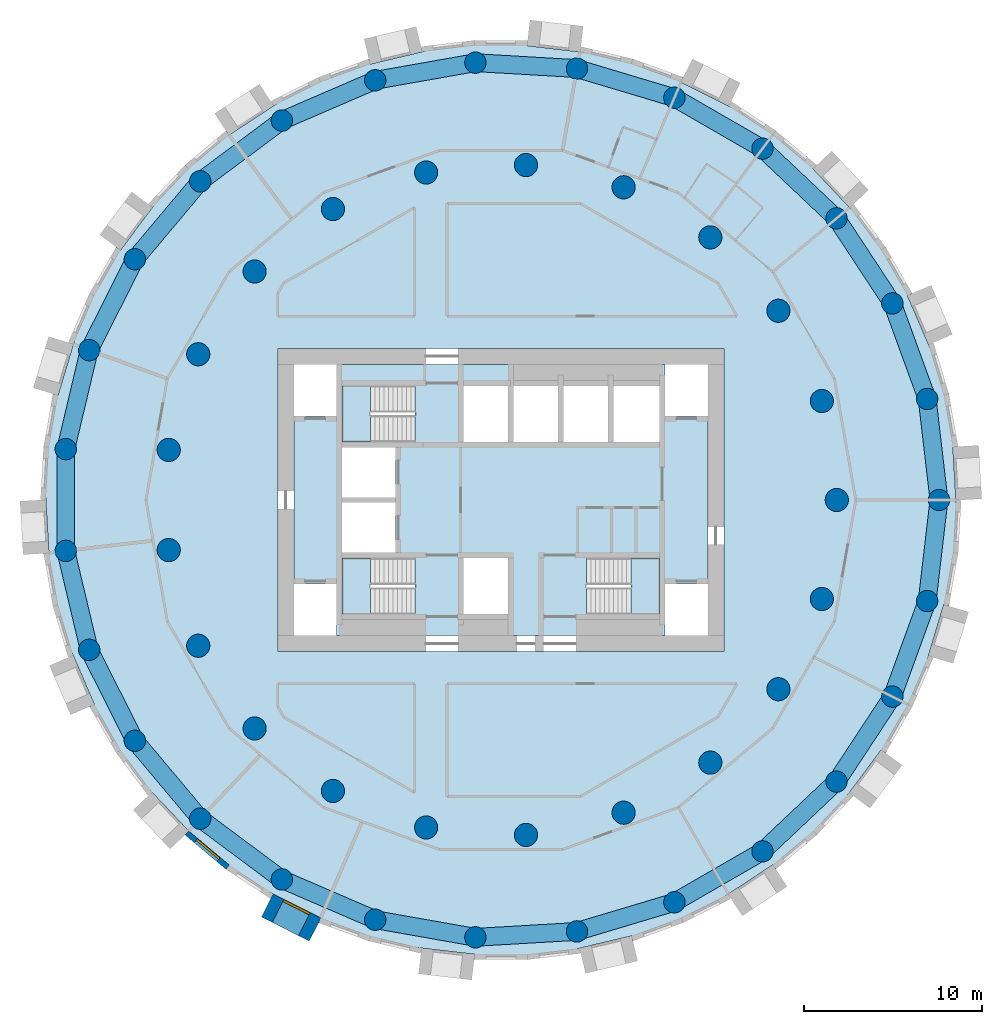
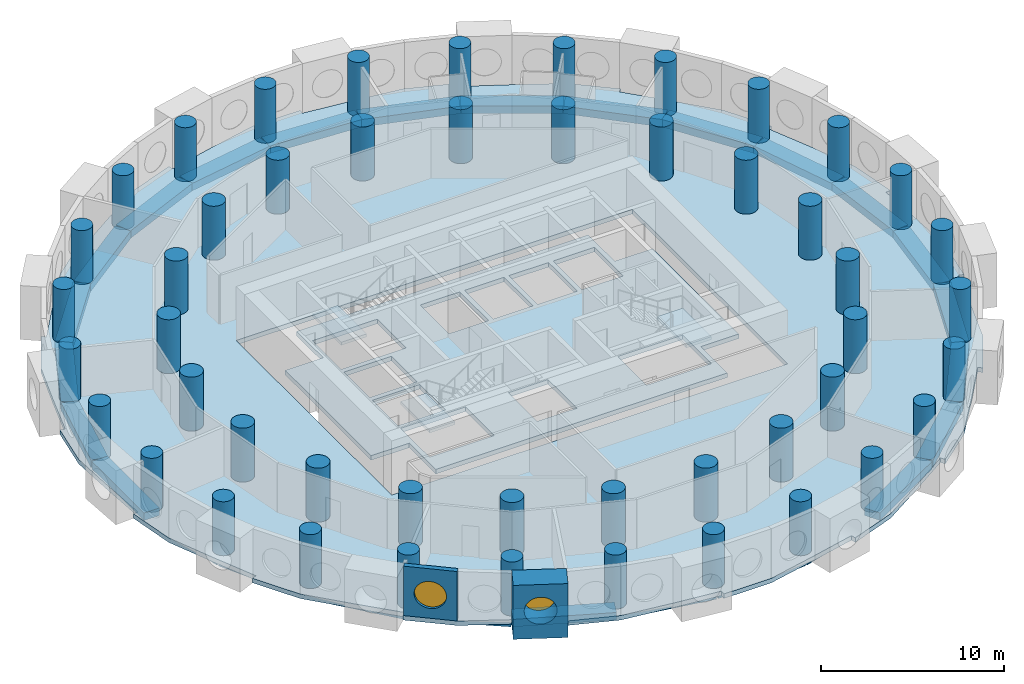
# One storey, part 1 of 9: 48 columns, 27 beams, 5 slabs, 2 walls, 2 windows, 2 openings, 3 elements without a shape of their own.
"""IFC4 building model written with IfcOpenShell, lengths in metres."""

from ifc_helpers import new_model, si_unit, direction, frame, frame_2d, origin, origin_2d, place, context, subcontext, project, spatial, polyline, rectangle, circle, outline, extrude, material, layer, layer_set, material_profile, profile_set, type_object, element, fill, aggregate, save


model = new_model("IFC4")

# Units and contexts
model_context = context("Model", 3, precision=1e-05, world=origin(), true_north=direction((0.0, 1.0)))
body_context = subcontext(model_context, "Body", "Model", "MODEL_VIEW")
ifc_project = project(units=[si_unit("LENGTHUNIT", "METRE"), si_unit("AREAUNIT", "SQUARE_METRE"), si_unit("VOLUMEUNIT", "CUBIC_METRE"), si_unit("PLANEANGLEUNIT", "RADIAN"), si_unit("MASSUNIT", "GRAM", prefix="KILO")], contexts=[model_context])

# Site, building, storey
site_placement = place(None, origin())
site = spatial("IfcSite", under=ifc_project, at=site_placement, CompositionType="ELEMENT")
building_placement = place(site_placement, origin())
building = spatial("IfcBuilding", under=site, at=building_placement, Name="Tracery Tower", CompositionType="ELEMENT")
storey_placement = place(building_placement, frame((0.0, 0.0, 151.199951171875)))
storey = spatial("IfcBuildingStorey", under=building, at=storey_placement, Name="L38", CompositionType="ELEMENT", Elevation=151.199951171875)

# Columns
ifc_material_1 = material(Name="Concrete C50/60", Category="concrete")
ifc_material_profile_1 = material_profile(ifc_material_1, circle(Radius=0.60009765625, at=origin_2d()), Name="RC D1200")
ifc_profile_set_1 = profile_set([ifc_material_profile_1], Name="Concrete C50/60")
column_type_1 = type_object("IfcColumnType", Name="Ring 1 column 1200", PredefinedType="COLUMN", material=ifc_profile_set_1)
for number, where, z_axis, x_axis, name in (
    (1, (24.547607421875, 0.0, 0.0), (0.0, 0.0, 1.0), (1.0, 0.0, 0.0), "Ring 1 column 00 at L38"),
    (2, (23.885986328125, 5.6611328125, 0.0), (0.0, 0.0, 1.0), (1.0, 0.0, 0.0), "Ring 1 column 01 at L38"),
    (3, (21.9365234375, 11.01708984375, 0.0), (0.0, 0.0, 1.0), (1.0, 0.0, 0.0), "Ring 1 column 02 at L38"),
    (4, (18.8046875, 15.779052734375, 0.0), (0.0, 0.0, 1.0), (1.0, 0.0, 0.0), "Ring 1 column 03 at L38"),
    (5, (14.658935546875, 19.690185546875, 0.0), (0.0, 0.0, 1.0), (1.0, 0.0, 0.0), "Ring 1 column 04 at L38"),
    (6, (9.722900390625, 22.5400390625, 0.0), (0.0, 0.0, 1.0), (1.0, 0.0, 0.0), "Ring 1 column 05 at L38"),
    (7, (4.2626953125, 24.1748046875, 0.0), (0.0, 0.0, 1.0), (1.0, 0.0, 0.0), "Ring 1 column 06 at L38"),
    (8, (-1.42724609375, 24.506103515625, 0.0), (0.0, 0.0, 1.0), (1.0, 0.0, 0.0), "Ring 1 column 07 at L38"),
    (9, (-7.040283203125, 23.516357421875, 0.0), (0.0, 0.0, 1.0), (1.0, 0.0, 0.0), "Ring 1 column 08 at L38"),
    (10, (-12.273681640625, 21.2587890625, 0.0), (0.0, 0.0, 1.0), (1.0, 0.0, 0.0), "Ring 1 column 09 at L38"),
    (11, (-16.845703125, 17.855224609375, 0.0), (0.0, 0.0, 1.0), (1.0, 0.0, 0.0), "Ring 1 column 10 at L38"),
    (12, (-20.50927734375, 13.4892578125, 0.0), (0.0, 0.0, 1.0), (1.0, 0.0, 0.0), "Ring 1 column 11 at L38"),
    (13, (-23.0673828125, 8.395751953125, 0.0), (0.0, 0.0, 1.0), (1.0, 0.0, 0.0), "Ring 1 column 12 at L38"),
    (14, (-24.381591796875, 2.849853515625, 0.0), (0.0, 0.0, 1.0), (1.0, 0.0, 0.0), "Ring 1 column 13 at L38"),
    (15, (-24.381591796875, -2.849853515625, 0.0), (0.0, 0.0, 1.0), (1.0, 0.0, 0.0), "Ring 1 column 14 at L38"),
    (16, (-23.0673828125, -8.395751953125, 0.0), (0.0, 0.0, 1.0), (1.0, 0.0, 0.0), "Ring 1 column 15 at L38"),
    (17, (-20.50927734375, -13.4892578125, 0.0), (0.0, 0.0, 1.0), (1.0, 0.0, 0.0), "Ring 1 column 16 at L38"),
    (18, (-16.845703125, -17.85546875, 0.0), (0.0, 0.0, 1.0), (1.0, 0.0, 0.0), "Ring 1 column 17 at L38"),
    (19, (-12.27392578125, -21.2587890625, 0.0), (0.0, 0.0, 1.0), (1.0, 0.0, 0.0), "Ring 1 column 18 at L38"),
    (20, (-7.040283203125, -23.516357421875, 0.0), (0.0, 0.0, 1.0), (1.0, 0.0, 0.0), "Ring 1 column 19 at L38"),
    (21, (-1.42724609375, -24.506103515625, 0.0), (0.0, 0.0, 1.0), (1.0, 0.0, 0.0), "Ring 1 column 20 at L38"),
    (22, (4.2626953125, -24.1748046875, 0.0), (0.0, 0.0, 1.0), (1.0, 0.0, 0.0), "Ring 1 column 21 at L38"),
    (23, (9.722900390625, -22.5400390625, 0.0), (0.0, 0.0, 1.0), (1.0, 0.0, 0.0), "Ring 1 column 22 at L38"),
    (24, (14.658935546875, -19.690185546875, 0.0), (0.0, 0.0, 1.0), (1.0, 0.0, 0.0), "Ring 1 column 23 at L38"),
    (25, (18.8046875, -15.779052734375, 0.0), (0.0, 0.0, 1.0), (1.0, 0.0, 0.0), "Ring 1 column 24 at L38"),
    (26, (21.9365234375, -11.01708984375, 0.0), (0.0, 0.0, 1.0), (1.0, 0.0, 0.0), "Ring 1 column 25 at L38"),
    (27, (23.885986328125, -5.6611328125, 0.0), (0.0, 0.0, 1.0), (1.0, 0.0, 0.0), "Ring 1 column 26 at L38"),
):
    element("IfcColumn", number, at=place(storey_placement, frame(where, z_axis=z_axis, x_axis=x_axis)), inside=storey, type_object=column_type_1, Name=name, PredefinedType="COLUMN", context=body_context, shape_type="SweptSolid", body=[
        extrude(circle(Radius=0.60009765625, at=origin_2d()), origin(), (0.0, 0.0, 1.0), 3.60009765625),
    ])
ifc_material_2 = material(Name="Concrete C50/60", Category="concrete")
ifc_material_profile_2 = material_profile(ifc_material_2, circle(Radius=0.64990234375, at=origin_2d()), Name="RC D1300")
ifc_profile_set_2 = profile_set([ifc_material_profile_2], Name="Concrete C50/60")
column_type_2 = type_object("IfcColumnType", Name="Ring 2 column 1300", PredefinedType="COLUMN", material=ifc_profile_set_2)
for number, where, z_axis, x_axis, name in (
    (28, (18.822265625, 0.0, 0.0), (0.0, 0.0, 1.0), (1.0, 0.0, 0.0), "Ring 2 column 00 at L38"),
    (29, (17.986083984375, 5.5478515625, 0.0), (0.0, 0.0, 1.0), (1.0, 0.0, 0.0), "Ring 2 column 01 at L38"),
    (30, (15.551513671875, 10.602783203125, 0.0), (0.0, 0.0, 1.0), (1.0, 0.0, 0.0), "Ring 2 column 02 at L38"),
    (31, (11.7353515625, 14.7158203125, 0.0), (0.0, 0.0, 1.0), (1.0, 0.0, 0.0), "Ring 2 column 03 at L38"),
    (32, (6.87646484375, 17.52099609375, 0.0), (0.0, 0.0, 1.0), (1.0, 0.0, 0.0), "Ring 2 column 04 at L38"),
    (33, (1.406494140625, 18.76953125, 0.0), (0.0, 0.0, 1.0), (1.0, 0.0, 0.0), "Ring 2 column 05 at L38"),
    (34, (-4.188232421875, 18.350341796875, 0.0), (0.0, 0.0, 1.0), (1.0, 0.0, 0.0), "Ring 2 column 06 at L38"),
    (35, (-9.4111328125, 16.300537109375, 0.0), (0.0, 0.0, 1.0), (1.0, 0.0, 0.0), "Ring 2 column 07 at L38"),
    (36, (-13.797607421875, 12.802490234375, 0.0), (0.0, 0.0, 1.0), (1.0, 0.0, 0.0), "Ring 2 column 08 at L38"),
    (37, (-16.958251953125, 8.16650390625, 0.0), (0.0, 0.0, 1.0), (1.0, 0.0, 0.0), "Ring 2 column 09 at L38"),
    (38, (-18.612060546875, 2.805419921875, 0.0), (0.0, 0.0, 1.0), (1.0, 0.0, 0.0), "Ring 2 column 10 at L38"),
    (39, (-18.612060546875, -2.805419921875, 0.0), (0.0, 0.0, 1.0), (1.0, 0.0, 0.0), "Ring 2 column 11 at L38"),
    (40, (-16.958251953125, -8.166748046875, 0.0), (0.0, 0.0, 1.0), (1.0, 0.0, 0.0), "Ring 2 column 12 at L38"),
    (41, (-13.797607421875, -12.80224609375, 0.0), (0.0, 0.0, 1.0), (1.0, 0.0, 0.0), "Ring 2 column 13 at L38"),
    (42, (-9.4111328125, -16.300537109375, 0.0), (0.0, 0.0, 1.0), (1.0, 0.0, 0.0), "Ring 2 column 14 at L38"),
    (43, (-4.188232421875, -18.350341796875, 0.0), (0.0, 0.0, 1.0), (1.0, 0.0, 0.0), "Ring 2 column 15 at L38"),
    (44, (1.406494140625, -18.76953125, 0.0), (0.0, 0.0, 1.0), (1.0, 0.0, 0.0), "Ring 2 column 16 at L38"),
    (45, (6.87646484375, -17.52099609375, 0.0), (0.0, 0.0, 1.0), (1.0, 0.0, 0.0), "Ring 2 column 17 at L38"),
    (46, (11.7353515625, -14.7158203125, 0.0), (0.0, 0.0, 1.0), (1.0, 0.0, 0.0), "Ring 2 column 18 at L38"),
    (47, (15.551513671875, -10.602783203125, 0.0), (0.0, 0.0, 1.0), (1.0, 0.0, 0.0), "Ring 2 column 19 at L38"),
    (48, (17.986083984375, -5.5478515625, 0.0), (0.0, 0.0, 1.0), (1.0, 0.0, 0.0), "Ring 2 column 20 at L38"),
):
    element("IfcColumn", number, at=place(storey_placement, frame(where, z_axis=z_axis, x_axis=x_axis)), inside=storey, type_object=column_type_2, Name=name, PredefinedType="COLUMN", context=body_context, shape_type="SweptSolid", body=[
        extrude(circle(Radius=0.64990234375, at=origin_2d()), origin(), (0.0, 0.0, 1.0), 3.60009765625),
    ])

# Beams
ifc_material_3 = material(Name="Concrete C50/60", Category="concrete")
ifc_material_profile_3 = material_profile(ifc_material_3, rectangle(XDim=1.0, YDim=0.5, at=origin_2d()), Name="RC 1000x500")
ifc_profile_set_3 = profile_set([ifc_material_profile_3], Name="Concrete C50/60")
beam_type = type_object("IfcBeamType", Name="Perimeter band beam 1000x500", PredefinedType="BEAM", material=ifc_profile_set_3)
for number, where, z_axis, x_axis, name in (
    (49, (24.547607421875, 0.0, -0.550048828125), (-0.116080723252, 0.993239782575, 0.0), (-0.993239782575, -0.116080723252, 0.0), "Perimeter beam 1.00 under L38"),
    (50, (23.885986328125, 5.6611328125, -0.550048828125), (-0.342028502279, 0.939689578334, 0.0), (-0.939689578334, -0.342028502279, 0.0), "Perimeter beam 1.01 under L38"),
):
    element("IfcBeam", number, at=place(storey_placement, frame(where, z_axis=z_axis, x_axis=x_axis)), inside=storey, type_object=beam_type, Name=name, PredefinedType="BEAM", context=body_context, shape_type="SweptSolid", body=[
        extrude(rectangle(XDim=1.0, YDim=0.5, at=origin_2d()), origin(), (0.0, 0.0, 1.0), 5.69970703125),
    ])
for number, where, z_axis, x_axis, name in (
    (51, (21.9365234375, 11.01708984375, -0.550048828125), (-0.549489832182, 0.835500403548, 0.0), (-0.835500403548, -0.549489832182, 0.0), "Perimeter beam 1.02 under L38"),
    (52, (18.8046875, 15.779052734375, -0.550048828125), (-0.727389618263, 0.686224703172, 0.0), (-0.686224703172, -0.727389618263, 0.0), "Perimeter beam 1.03 under L38"),
):
    element("IfcBeam", number, at=place(storey_placement, frame(where, z_axis=z_axis, x_axis=x_axis)), inside=storey, type_object=beam_type, Name=name, PredefinedType="BEAM", context=body_context, shape_type="SweptSolid", body=[
        extrude(rectangle(XDim=1.0, YDim=0.5, at=origin_2d()), origin(), (0.0, 0.0, 1.0), 5.699462890625),
    ])
for number, where, z_axis, x_axis, name in (
    (53, (14.658935546875, 19.690185546875, -0.550048828125), (-0.866022950691, 0.500004248858, 0.0), (-0.500004248858, -0.866022950691, 0.0), "Perimeter beam 1.04 under L38"),
    (54, (9.722900390625, 22.5400390625, -0.550048828125), (-0.957985292634, 0.28681732705, 0.0), (-0.28681732705, -0.957985292634, 0.0), "Perimeter beam 1.05 under L38"),
):
    element("IfcBeam", number, at=place(storey_placement, frame(where, z_axis=z_axis, x_axis=x_axis)), inside=storey, type_object=beam_type, Name=name, PredefinedType="BEAM", context=body_context, shape_type="SweptSolid", body=[
        extrude(rectangle(XDim=1.0, YDim=0.5, at=origin_2d()), origin(), (0.0, 0.0, 1.0), 5.69970703125),
    ])
beam_1_placement = place(storey_placement, frame((4.2626953125, 24.1748046875, -0.550048828125), z_axis=(-0.99830920221, 0.058126902403, 0.0), x_axis=(-0.058126902403, -0.99830920221, 0.0)))
element("IfcBeam", 55, at=beam_1_placement, inside=storey, type_object=beam_type, Name="Perimeter beam 1.06 under L38", PredefinedType="BEAM", context=body_context, shape_type="SweptSolid", body=[
    extrude(rectangle(XDim=1.0, YDim=0.5, at=origin_2d()), origin(), (0.0, 0.0, 1.0), 5.699462890625),
])
beam_2_placement = place(storey_placement, frame((-1.42724609375, 24.506103515625, -0.550048828125), z_axis=(-0.984807266719, -0.173650935552, 0.0), x_axis=(0.173650935552, -0.984807266719, 0.0)))
element("IfcBeam", 56, at=beam_2_placement, inside=storey, type_object=beam_type, Name="Perimeter beam 1.07 under L38", PredefinedType="BEAM", context=body_context, shape_type="SweptSolid", body=[
    extrude(rectangle(XDim=1.0, YDim=0.5, at=origin_2d()), origin(), (0.0, 0.0, 1.0), 5.69970703125),
])
beam_3_placement = place(storey_placement, frame((-7.040283203125, 23.516357421875, -0.550048828125), z_axis=(-0.918209685525, -0.396094652083, 0.0), x_axis=(0.396094652083, -0.918209685525, 0.0)))
element("IfcBeam", 57, at=beam_3_placement, inside=storey, type_object=beam_type, Name="Perimeter beam 1.08 under L38", PredefinedType="BEAM", context=body_context, shape_type="SweptSolid", body=[
    extrude(rectangle(XDim=1.0, YDim=0.5, at=origin_2d()), origin(), (0.0, 0.0, 1.0), 5.699462890625),
])
beam_4_placement = place(storey_placement, frame((-12.273681640625, 21.2587890625, -0.550048828125), z_axis=(-0.802138271299, -0.59713833717, 0.0), x_axis=(0.59713833717, -0.802138271299, 0.0)))
element("IfcBeam", 58, at=beam_4_placement, inside=storey, type_object=beam_type, Name="Perimeter beam 1.09 under L38", PredefinedType="BEAM", context=body_context, shape_type="SweptSolid", body=[
    extrude(rectangle(XDim=1.0, YDim=0.5, at=origin_2d()), origin(), (0.0, 0.0, 1.0), 5.69970703125),
])
beam_5_placement = place(storey_placement, frame((-16.845703125, 17.855224609375, -0.550048828125), z_axis=(-0.642797194343, -0.766036400535, 0.0), x_axis=(0.766036400535, -0.642797194343, 0.0)))
element("IfcBeam", 59, at=beam_5_placement, inside=storey, type_object=beam_type, Name="Perimeter beam 1.10 under L38", PredefinedType="BEAM", context=body_context, shape_type="SweptSolid", body=[
    extrude(rectangle(XDim=1.0, YDim=0.5, at=origin_2d()), origin(), (0.0, 0.0, 1.0), 5.699462890625),
])
beam_6_placement = place(storey_placement, frame((-20.50927734375, 13.4892578125, -0.550048828125), z_axis=(-0.448806280933, -0.893629074166, 0.0), x_axis=(0.893629074166, -0.448806280933, 0.0)))
element("IfcBeam", 60, at=beam_6_placement, inside=storey, type_object=beam_type, Name="Perimeter beam 1.11 under L38", PredefinedType="BEAM", context=body_context, shape_type="SweptSolid", body=[
    extrude(rectangle(XDim=1.0, YDim=0.5, at=origin_2d()), origin(), (0.0, 0.0, 1.0), 5.69970703125),
])
beam_7_placement = place(storey_placement, frame((-23.0673828125, 8.395751953125, -0.550048828125), z_axis=(-0.230583793756, -0.973052472407, 0.0), x_axis=(0.973052472407, -0.230583793756, 0.0)))
element("IfcBeam", 61, at=beam_7_placement, inside=storey, type_object=beam_type, Name="Perimeter beam 1.12 under L38", PredefinedType="BEAM", context=body_context, shape_type="SweptSolid", body=[
    extrude(rectangle(XDim=1.0, YDim=0.5, at=origin_2d()), origin(), (0.0, 0.0, 1.0), 5.699462890625),
])
beam_8_placement = place(storey_placement, frame((-24.381591796875, 2.849853515625, -0.550048828125), z_axis=(0.0, -1.0, 0.0), x_axis=(1.0, 0.0, 0.0)))
element("IfcBeam", 62, at=beam_8_placement, inside=storey, type_object=beam_type, Name="Perimeter beam 1.13 under L38", PredefinedType="BEAM", context=body_context, shape_type="SweptSolid", body=[
    extrude(rectangle(XDim=1.0, YDim=0.5, at=origin_2d()), origin(), (0.0, 0.0, 1.0), 5.69970703125),
])
beam_9_placement = place(storey_placement, frame((-24.381591796875, -2.849853515625, -0.550048828125), z_axis=(0.230583793756, -0.973052472407, 0.0), x_axis=(0.973052472407, 0.230583793756, 0.0)))
element("IfcBeam", 63, at=beam_9_placement, inside=storey, type_object=beam_type, Name="Perimeter beam 1.14 under L38", PredefinedType="BEAM", context=body_context, shape_type="SweptSolid", body=[
    extrude(rectangle(XDim=1.0, YDim=0.5, at=origin_2d()), origin(), (0.0, 0.0, 1.0), 5.699462890625),
])
for number, where, z_axis, x_axis, name in (
    (64, (-23.0673828125, -8.395751953125, -0.550048828125), (0.448806280933, -0.893629074166, 0.0), (0.893629074166, 0.448806280933, 0.0), "Perimeter beam 1.15 under L38"),
    (65, (-20.50927734375, -13.4892578125, -0.550048828125), (0.64277610208, -0.766054099, 0.0), (0.766054099, 0.64277610208, 0.0), "Perimeter beam 1.16 under L38"),
):
    element("IfcBeam", number, at=place(storey_placement, frame(where, z_axis=z_axis, x_axis=x_axis)), inside=storey, type_object=beam_type, Name=name, PredefinedType="BEAM", context=body_context, shape_type="SweptSolid", body=[
        extrude(rectangle(XDim=1.0, YDim=0.5, at=origin_2d()), origin(), (0.0, 0.0, 1.0), 5.69970703125),
    ])
beam_10_placement = place(storey_placement, frame((-16.845703125, -17.85546875, -0.550048828125), z_axis=(0.802143514942, -0.597131293298, 0.0), x_axis=(0.597131293298, 0.802143514942, 0.0)))
element("IfcBeam", 66, at=beam_10_placement, inside=storey, type_object=beam_type, Name="Perimeter beam 1.17 under L38", PredefinedType="BEAM", context=body_context, shape_type="SweptSolid", body=[
    extrude(rectangle(XDim=1.0, YDim=0.5, at=origin_2d()), origin(), (0.0, 0.0, 1.0), 5.699462890625),
])
for number, where, z_axis, x_axis, name in (
    (67, (-12.27392578125, -21.2587890625, -0.550048828125), (0.918216405543, -0.39607907366, 0.0), (0.39607907366, 0.918216405543, 0.0), "Perimeter beam 1.18 under L38"),
    (68, (-7.040283203125, -23.516357421875, -0.550048828125), (0.984807266719, -0.173650935552, 0.0), (0.173650935552, 0.984807266719, 0.0), "Perimeter beam 1.19 under L38"),
):
    element("IfcBeam", number, at=place(storey_placement, frame(where, z_axis=z_axis, x_axis=x_axis)), inside=storey, type_object=beam_type, Name=name, PredefinedType="BEAM", context=body_context, shape_type="SweptSolid", body=[
        extrude(rectangle(XDim=1.0, YDim=0.5, at=origin_2d()), origin(), (0.0, 0.0, 1.0), 5.69970703125),
    ])
beam_11_placement = place(storey_placement, frame((-1.42724609375, -24.506103515625, -0.550048828125), z_axis=(0.99830920221, 0.058126902403, 0.0), x_axis=(-0.058126902403, 0.99830920221, 0.0)))
element("IfcBeam", 69, at=beam_11_placement, inside=storey, type_object=beam_type, Name="Perimeter beam 1.20 under L38", PredefinedType="BEAM", context=body_context, shape_type="SweptSolid", body=[
    extrude(rectangle(XDim=1.0, YDim=0.5, at=origin_2d()), origin(), (0.0, 0.0, 1.0), 5.699462890625),
])
for number, where, z_axis, x_axis, name in (
    (70, (4.2626953125, -24.1748046875, -0.550048828125), (0.957985292634, 0.28681732705, 0.0), (-0.28681732705, 0.957985292634, 0.0), "Perimeter beam 1.21 under L38"),
    (71, (9.722900390625, -22.5400390625, -0.550048828125), (0.866022950691, 0.500004248858, 0.0), (-0.500004248858, 0.866022950691, 0.0), "Perimeter beam 1.22 under L38"),
):
    element("IfcBeam", number, at=place(storey_placement, frame(where, z_axis=z_axis, x_axis=x_axis)), inside=storey, type_object=beam_type, Name=name, PredefinedType="BEAM", context=body_context, shape_type="SweptSolid", body=[
        extrude(rectangle(XDim=1.0, YDim=0.5, at=origin_2d()), origin(), (0.0, 0.0, 1.0), 5.69970703125),
    ])
for number, where, z_axis, x_axis, name in (
    (72, (14.658935546875, -19.690185546875, -0.550048828125), (0.727389618263, 0.686224703172, 0.0), (-0.686224703172, 0.727389618263, 0.0), "Perimeter beam 1.23 under L38"),
    (73, (18.8046875, -15.779052734375, -0.550048828125), (0.549489832182, 0.835500403548, 0.0), (-0.835500403548, 0.549489832182, 0.0), "Perimeter beam 1.24 under L38"),
):
    element("IfcBeam", number, at=place(storey_placement, frame(where, z_axis=z_axis, x_axis=x_axis)), inside=storey, type_object=beam_type, Name=name, PredefinedType="BEAM", context=body_context, shape_type="SweptSolid", body=[
        extrude(rectangle(XDim=1.0, YDim=0.5, at=origin_2d()), origin(), (0.0, 0.0, 1.0), 5.699462890625),
    ])
for number, where, z_axis, x_axis, name in (
    (74, (21.9365234375, -11.01708984375, -0.550048828125), (0.342028502279, 0.939689578334, 0.0), (-0.939689578334, 0.342028502279, 0.0), "Perimeter beam 1.25 under L38"),
    (75, (23.885986328125, -5.6611328125, -0.550048828125), (0.116080723252, 0.993239782575, 0.0), (-0.993239782575, 0.116080723252, 0.0), "Perimeter beam 1.26 under L38"),
):
    element("IfcBeam", number, at=place(storey_placement, frame(where, z_axis=z_axis, x_axis=x_axis)), inside=storey, type_object=beam_type, Name=name, PredefinedType="BEAM", context=body_context, shape_type="SweptSolid", body=[
        extrude(rectangle(XDim=1.0, YDim=0.5, at=origin_2d()), origin(), (0.0, 0.0, 1.0), 5.69970703125),
    ])

# Slabs
ifc_material_4 = material(Name="Concrete C50/60", Category="concrete")
ifc_layer_1 = layer(ifc_material_4, 0.300048828125)
ifc_layer_set_1 = layer_set([ifc_layer_1], Name="Core floor slab 300 C50")
slab_type_1 = type_object("IfcSlabType", Name="Core floor slab 300 C50", PredefinedType="FLOOR", material=ifc_layer_set_1)
slab_1_placement = place(storey_placement, frame((0.0, 0.0, -0.300048828125)))
element("IfcSlab", 76, at=slab_1_placement, inside=storey, type_object=slab_type_1, Name="L38 core floor 1", PredefinedType="FLOOR", context=body_context, shape_type="SweptSolid", body=[
    extrude(outline(polyline([(-9.199951171875, 7.60009765625), (9.199951171875, 7.60009765625), (9.199951171875, 4.699951171875), (11.60009765625, 4.699951171875), (11.60009765625, -4.699951171875), (9.199951171875, -4.699951171875), (9.199951171875, -7.60009765625), (-9.199951171875, -7.60009765625), (-9.199951171875, -4.699951171875), (-11.60009765625, -4.699951171875), (-11.60009765625, 4.699951171875), (-9.199951171875, 4.699951171875), (-9.199951171875, 7.60009765625)]), holes=[polyline([(4.800537109375, -6.39990234375), (8.89990234375, -6.39990234375), (8.89990234375, -3.25), (4.800537109375, -3.25), (4.800537109375, -6.39990234375)]), polyline([(8.89990234375, 3.25), (8.89990234375, 6.39990234375), (6.300048828125, 6.39990234375), (6.300048828125, 3.25), (8.89990234375, 3.25)]), polyline([(6.0, 3.25), (6.0, 6.39990234375), (3.5, 6.39990234375), (3.5, 3.25), (6.0, 3.25)]), polyline([(3.199951171875, 3.25), (3.199951171875, 6.39990234375), (0.699951171875, 6.39990234375), (0.699951171875, 3.25), (3.199951171875, 3.25)]), polyline([(-2.10009765625, 3.25), (0.39990234375, 3.25), (0.39990234375, 6.39990234375), (-2.10009765625, 6.39990234375), (-2.10009765625, 3.25)]), polyline([(0.39990234375, -6.39990234375), (0.39990234375, -3.25), (-2.10009765625, -3.25), (-2.10009765625, -6.39990234375), (0.39990234375, -6.39990234375)]), polyline([(-4.800537109375, -3.25), (-8.89990234375, -3.25), (-8.89990234375, -6.39990234375), (-4.800537109375, -6.39990234375), (-4.800537109375, -3.25)]), polyline([(-4.800537109375, 6.39990234375), (-8.89990234375, 6.39990234375), (-8.89990234375, 3.25), (-4.800537109375, 3.25), (-4.800537109375, 6.39990234375)]), polyline([(-5.89990234375, -2.949951171875), (-5.89990234375, -0.14990234375), (-8.89990234375, -0.14990234375), (-8.89990234375, -2.949951171875), (-5.89990234375, -2.949951171875)]), polyline([(-5.89990234375, 0.14990234375), (-5.89990234375, 2.949951171875), (-8.89990234375, 2.949951171875), (-8.89990234375, 0.14990234375), (-5.89990234375, 0.14990234375)])]), origin(), (0.0, 0.0, 1.0), 0.300048828125),
])
ifc_material_5 = material(Name="Concrete C40/50", Category="concrete")
ifc_layer_2 = layer(ifc_material_5, 0.300048828125)
ifc_layer_set_2 = layer_set([ifc_layer_2], Name="Floor slab 300")
slab_type_2 = type_object("IfcSlabType", Name="Floor slab 300", PredefinedType="FLOOR", material=ifc_layer_set_2)
slab_2_placement = place(storey_placement, frame((0.0, 0.0, -0.300048828125)))
element("IfcSlab", 77, at=slab_2_placement, inside=storey, type_object=slab_type_2, Name="Floor slab L38", PredefinedType="FLOOR", context=body_context, shape_type="SweptSolid", body=[
    extrude(outline(polyline([(22.78515625, 11.443115234375), (22.7783203125, 11.459228515625), (23.0537109375, 11.577880859375), (21.5537109375, 14.176025390625), (19.533203125, 16.387939453125), (18.208740234375, 17.791748046875), (17.497314453125, 18.5458984375), (17.497314453125, 18.5458984375), (17.485107421875, 18.55859375), (17.70361328125, 18.7646484375), (15.4052734375, 20.69287109375), (12.74853515625, 22.081298828125), (10.098876953125, 23.411865234375), (10.098876953125, 23.411865234375), (10.083251953125, 23.419921875), (10.217529296875, 23.68701171875), (10.218017578125, 23.68798828125), (7.39892578125, 24.7138671875), (4.427490234375, 25.10986328125), (3.055908203125, 25.27001953125), (1.465087890625, 25.4560546875), (1.5, 25.75390625), (1.5, 25.754150390625), (-1.5, 25.754150390625), (-4.427490234375, 25.10986328125), (-7.312744140625, 24.426025390625), (-7.312744140625, 24.426025390625), (-7.32958984375, 24.422119140625), (-7.398681640625, 24.713134765625), (-7.39892578125, 24.7138671875), (-10.218017578125, 23.68798828125), (-12.74853515625, 22.081298828125), (-13.4443359375, 21.623779296875), (-15.240478515625, 20.4423828125), (-15.4052734375, 20.69287109375), (-15.4052734375, 20.69287109375), (-17.70361328125, 18.7646484375), (-19.531005859375, 16.390625), (-20.657958984375, 14.876953125), (-21.302490234375, 14.010986328125), (-21.302490234375, 14.010986328125), (-21.31298828125, 13.996826171875), (-21.5537109375, 14.176025390625), (-23.0537109375, 11.577880859375), (-23.95947265625, 8.720703125), (-24.694580078125, 6.265380859375), (-24.81494140625, 5.86328125), (-25.102294921875, 5.949462890625), (-25.623291015625, 2.994873046875), (-25.497314453125, 0.00048828125), (-25.32373046875, -2.9775390625), (-25.623291015625, -2.994873046875), (-25.102294921875, -5.949462890625), (-23.95947265625, -8.720703125), (-22.78515625, -11.443115234375), (-22.78515625, -11.443115234375), (-22.7783203125, -11.459228515625), (-23.0537109375, -11.577880859375), (-21.5537109375, -14.176025390625), (-19.533203125, -16.387939453125), (-18.208740234375, -17.791748046875), (-17.497314453125, -18.5458984375), (-17.497314453125, -18.5458984375), (-17.485107421875, -18.55859375), (-17.70361328125, -18.7646484375), (-15.4052734375, -20.69287109375), (-12.74853515625, -22.081298828125), (-10.098876953125, -23.411865234375), (-10.098876953125, -23.411865234375), (-10.083251953125, -23.419921875), (-10.217529296875, -23.68701171875), (-10.218017578125, -23.68798828125), (-7.39892578125, -24.7138671875), (-4.427490234375, -25.10986328125), (-3.055908203125, -25.27001953125), (-1.465087890625, -25.4560546875), (-1.5, -25.75390625), (-1.5, -25.754150390625), (1.5, -25.754150390625), (4.427490234375, -25.10986328125), (7.312744140625, -24.426025390625), (7.312744140625, -24.426025390625), (7.32958984375, -24.422119140625), (7.398681640625, -24.713134765625), (7.39892578125, -24.7138671875), (10.218017578125, -23.68798828125), (12.74853515625, -22.081298828125), (13.4443359375, -21.623779296875), (15.240478515625, -20.4423828125), (15.4052734375, -20.69287109375), (15.4052734375, -20.69287109375), (17.70361328125, -18.7646484375), (19.531005859375, -16.390625), (20.657958984375, -14.876953125), (21.302490234375, -14.010986328125), (21.302490234375, -14.010986328125), (21.31298828125, -13.996826171875), (21.5537109375, -14.176025390625), (23.0537109375, -11.577880859375), (23.95947265625, -8.720703125), (24.694580078125, -6.265380859375), (24.81494140625, -5.86328125), (25.102294921875, -5.949462890625), (25.623291015625, -2.994873046875), (25.497314453125, -0.00048828125), (25.32373046875, 2.9775390625), (25.623291015625, 2.994873046875), (25.102294921875, 5.949462890625), (23.95947265625, 8.720703125), (22.78515625, 11.443115234375), (22.78515625, 11.443115234375)]), holes=[polyline([(-12.5, -8.5), (12.5, -8.5), (12.5, 8.5), (-12.5, 8.5), (-12.5, -8.5)])]), origin(), (0.0, 0.0, 1.0), 0.300048828125),
])

# Stair, slab
ifc_material_6 = material(Name="Concrete C32/40", Category="concrete")
stair_type = type_object("IfcStairType", Name="Core stair 22 risers", PredefinedType="HALF_TURN_STAIR", material=ifc_material_6)
stair_1_placement = place(storey_placement, origin())
stair_1 = element("IfcStair", 78, at=stair_1_placement, inside=storey, type_object=stair_type, Name="L38 stair ST1", PredefinedType="HALF_TURN_STAIR")
ifc_material_7 = material(Name="Concrete C32/40", Category="concrete")
ifc_layer_3 = layer(ifc_material_7, 0.199951171875)
ifc_layer_set_3 = layer_set([ifc_layer_3], Name="Stair landing slab 200")
slab_type_3 = type_object("IfcSlabType", Name="Stair landing slab 200", PredefinedType="LANDING", material=ifc_layer_set_3)
slab_3_placement = place(storey_placement, frame((0.0, 0.0, 1.60009765625)))
slab_3 = element("IfcSlab", 79, at=slab_3_placement, type_object=slab_type_3, Name="ST1 landing 1", PredefinedType="LANDING", context=body_context, shape_type="SweptSolid", body=[
    extrude(outline(polyline([(-7.29931640625, -3.25), (-8.89990234375, -3.25), (-8.89990234375, -6.39990234375), (-7.29931640625, -6.39990234375), (-7.29931640625, -3.25)])), origin(), (0.0, 0.0, 1.0), 0.199951171875),
])
aggregate(stair_1, [slab_3])

stair_2_placement = place(storey_placement, origin())
stair_2 = element("IfcStair", 80, at=stair_2_placement, inside=storey, type_object=stair_type, Name="L38 stair ST3", PredefinedType="HALF_TURN_STAIR")
slab_4_placement = place(storey_placement, frame((0.0, 0.0, 1.60009765625)))
slab_4 = element("IfcSlab", 81, at=slab_4_placement, type_object=slab_type_3, Name="ST3 landing 1", PredefinedType="LANDING", context=body_context, shape_type="SweptSolid", body=[
    extrude(outline(polyline([(-7.29931640625, 6.39990234375), (-8.89990234375, 6.39990234375), (-8.89990234375, 3.25), (-7.29931640625, 3.25), (-7.29931640625, 6.39990234375)])), origin(), (0.0, 0.0, 1.0), 0.199951171875),
])
aggregate(stair_2, [slab_4])

stair_3_placement = place(storey_placement, origin())
stair_3 = element("IfcStair", 82, at=stair_3_placement, inside=storey, type_object=stair_type, Name="L38 stair ST2", PredefinedType="HALF_TURN_STAIR")
slab_5_placement = place(storey_placement, frame((0.0, 0.0, 1.60009765625)))
slab_5 = element("IfcSlab", 83, at=slab_5_placement, type_object=slab_type_3, Name="ST2 landing 1", PredefinedType="LANDING", context=body_context, shape_type="SweptSolid", body=[
    extrude(outline(polyline([(7.29931640625, -6.39990234375), (8.89990234375, -6.39990234375), (8.89990234375, -3.25), (7.29931640625, -3.25), (7.29931640625, -6.39990234375)])), origin(), (0.0, 0.0, 1.0), 0.199951171875),
])
aggregate(stair_3, [slab_5])

# Wall, opening, window
ifc_material_8 = material(Name="Precast concrete C50/60", Category="concrete")
ifc_layer_4 = layer(ifc_material_8, 1.449951171875)
ifc_layer_set_4 = layer_set([ifc_layer_4], Name="Deep-set bay unit 3000 x 3600, slab edge 300")
wall_type_1 = type_object("IfcWallType", Name="Deep-set bay unit 3000 x 3600, slab edge 300", PredefinedType="ELEMENTEDWALL", material=ifc_layer_set_4)
wall_1_placement = place(storey_placement, frame((-13.089599609375, -22.72119140625, -0.300048828125), z_axis=(0.0, 0.0, 1.0), x_axis=(0.893628249713, -0.448807922518, 0.0)))
wall_1 = element("IfcWall", 84, at=wall_1_placement, inside=storey, type_object=wall_type_1, Name="Deep-set bay unit 37 at L38", PredefinedType="ELEMENTEDWALL", context=body_context, shape_type="SweptSolid", body=[
    extrude(rectangle(XDim=3.0, YDim=1.449951171875, at=frame_2d((1.5, 0.0))), origin(), (0.0, 0.0, 1.0), 3.60009765625),
])
opening_1_placement = place(wall_1_placement, frame((1.5, 0.0, 1.85009765625)))
opening_1 = element("IfcOpeningElement", 85, at=opening_1_placement, cuts=wall_1, Name="Opening WN1", PredefinedType="OPENING", context=body_context, shape_type="SweptSolid", body=[
    extrude(circle(Radius=0.9000244140625, at=origin_2d()), frame((0.0, 0.73486328125, 0.0), z_axis=(0.0, -1.0, 0.0), x_axis=(1.0, 0.0, 0.0)), (0.0, 0.0, 1.0), 1.469970703125),
])
ifc_material_9 = material(Name="Aluminium frame with tinted double glazing", Category="aluminium")
window_type = type_object("IfcWindowType", Name="Round window 1800", PartitioningType="SINGLE_PANEL", PredefinedType="WINDOW", material=ifc_material_9)
window_1_placement = place(opening_1_placement, origin())
window_1 = element("IfcWindow", 86, at=window_1_placement, inside=storey, type_object=window_type, Name="Round window 37 at L38", OverallHeight=1.800048828125, OverallWidth=1.800048828125, PartitioningType="SINGLE_PANEL", PredefinedType="WINDOW", context=body_context, shape_type="SweptSolid", body=[
    extrude(circle(Radius=0.9000244140625, at=origin_2d()), frame((0.0, 0.69482421875, 0.0), z_axis=(0.0, -1.0, 0.0), x_axis=(1.0, 0.0, 0.0)), (0.0, 0.0, 1.0), 0.10009765625),
])
fill(opening_1, window_1)

ifc_material_10 = material(Name="Precast concrete C50/60", Category="concrete")
ifc_layer_5 = layer(ifc_material_10, 0.300048828125)
ifc_layer_set_5 = layer_set([ifc_layer_5], Name="Facade panel 3000 x 3300")
wall_type_2 = type_object("IfcWallType", Name="Facade panel 3000 x 3300", PredefinedType="SOLIDWALL", material=ifc_layer_set_5)
wall_2_placement = place(storey_placement, frame((-17.593017578125, -18.661376953125, 0.0), z_axis=(0.0, 0.0, 1.0), x_axis=(0.766008913364, -0.642829950023, 0.0)))
wall_2 = element("IfcWall", 87, at=wall_2_placement, inside=storey, type_object=wall_type_2, Name="Facade panel 35 at L38", PredefinedType="SOLIDWALL", context=body_context, shape_type="SweptSolid", body=[
    extrude(rectangle(XDim=2.972900390625, YDim=0.300048828125, at=frame_2d((1.486328125, 0.0))), origin(), (0.0, 0.0, 1.0), 3.300048828125),
])
opening_2_placement = place(wall_2_placement, frame((1.486328125, 0.0, 1.5498046875)))
opening_2 = element("IfcOpeningElement", 88, at=opening_2_placement, cuts=wall_2, Name="Opening WN1", PredefinedType="OPENING", context=body_context, shape_type="SweptSolid", body=[
    extrude(circle(Radius=0.9000244140625, at=origin_2d()), frame((0.0, 0.159912109375, 0.0), z_axis=(0.0, -1.0, 0.0), x_axis=(1.0, 0.0, 0.0)), (0.0, 0.0, 1.0), 0.320068359375),
])
window_2_placement = place(opening_2_placement, origin())
window_2 = element("IfcWindow", 89, at=window_2_placement, inside=storey, type_object=window_type, Name="Round window 35 at L38", OverallHeight=1.800048828125, OverallWidth=1.800048828125, PartitioningType="SINGLE_PANEL", PredefinedType="WINDOW", context=body_context, shape_type="SweptSolid", body=[
    extrude(circle(Radius=0.9000244140625, at=origin_2d()), frame((0.0, 0.1201171875, 0.0), z_axis=(0.0, -1.0, 0.0), x_axis=(1.0, 0.0, 0.0)), (0.0, 0.0, 1.0), 0.10009765625),
])
fill(opening_2, window_2)

save(model, "model.ifc")
